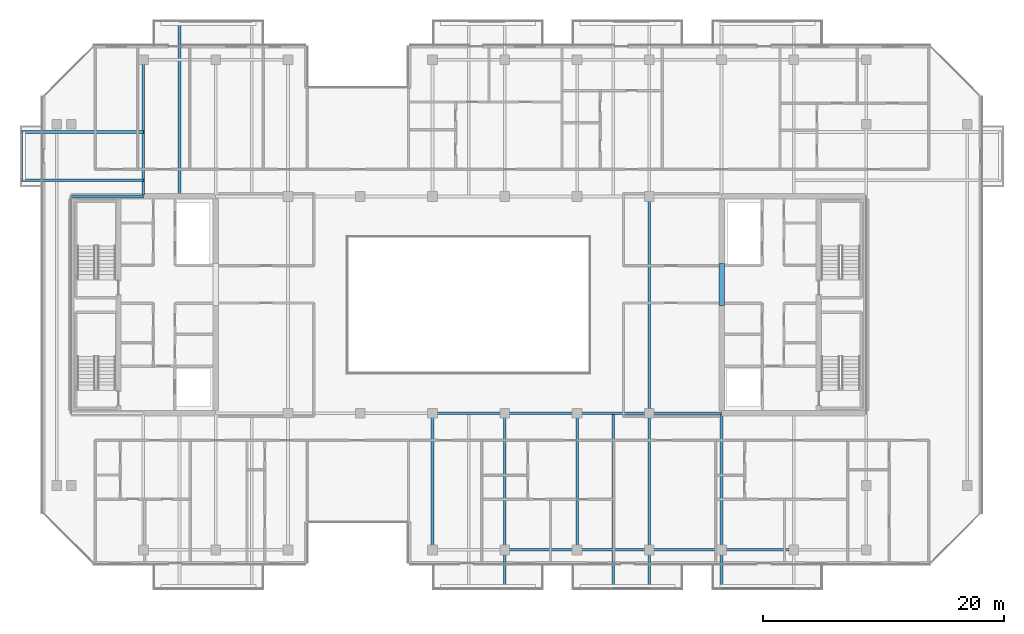
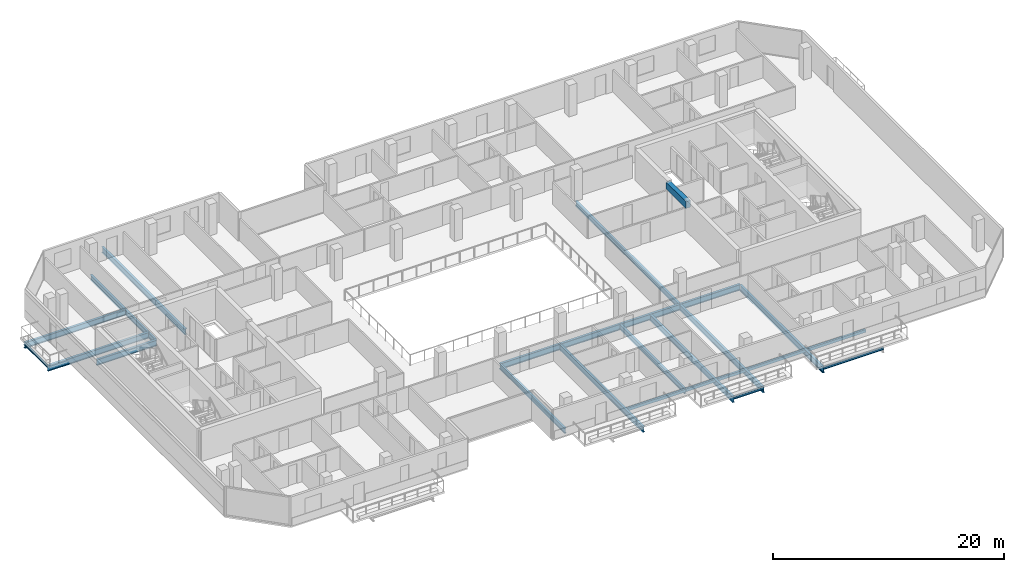
# One storey, part 7 of 29: 24 beams.
"""IFC4 building model written with IfcOpenShell, lengths in metres."""

from ifc_helpers import new_model, si_unit, direction, frame, origin, origin_2d, place, context, subcontext, project, spatial, rectangle, hollow_rectangle, i_section, extrude, material, material_profile, profile_set, type_object, element, save


model = new_model("IFC4")

# Units and contexts
model_context = context("Model", 3, precision=1e-05, world=origin(), true_north=direction((0.0, 1.0)))
body_context = subcontext(model_context, "Body", "Model", "MODEL_VIEW")
ifc_project = project(units=[si_unit("LENGTHUNIT", "METRE"), si_unit("AREAUNIT", "SQUARE_METRE"), si_unit("VOLUMEUNIT", "CUBIC_METRE"), si_unit("PLANEANGLEUNIT", "RADIAN"), si_unit("MASSUNIT", "GRAM", prefix="KILO")], contexts=[model_context])

# Site, building, storey
site_placement = place(None, origin())
site = spatial("IfcSite", under=ifc_project, at=site_placement, CompositionType="ELEMENT")
building_placement = place(site_placement, origin())
building = spatial("IfcBuilding", under=site, at=building_placement, Name="Tanjung Sevakor Pilgrim Tower", CompositionType="ELEMENT")
storey_placement = place(building_placement, frame((0.0, 0.0, 181.830078125)))
storey = spatial("IfcBuildingStorey", under=building, at=storey_placement, Name="L50", CompositionType="ELEMENT", Elevation=181.830078125)

# Beams
ifc_material_1 = material(Name="Steel S355J2", Category="steel")
ifc_material_profile_1 = material_profile(ifc_material_1, i_section(OverallWidth=0.22900390625, OverallDepth=0.6123046875, WebThickness=0.011962890625, FlangeThickness=0.01953125, FilletRadius=0.0126953125, at=origin_2d()))
ifc_profile_set_1 = profile_set([ifc_material_profile_1], Name="Steel S355J2")
beam_type_1 = type_object("IfcBeamType", Name="BM-B-G4-UB_610x229x125", PredefinedType="BEAM", material=ifc_profile_set_1)
for number, where, z_axis, x_axis, name in (
    (1, (30.0, 43.949951171875, -0.526123046875), (-1.0, 0.0, 0.0), (0.0, -1.0, 0.0), "L50 Balcony Overhanging Beam MAIN-W1-1"),
    (2, (30.0, 47.949951171875, -0.526123046875), (-1.0, 0.0, 0.0), (0.0, -1.0, 0.0), "L50 Balcony Overhanging Beam MAIN-W1-2"),
):
    element("IfcBeam", number, at=place(storey_placement, frame(where, z_axis=z_axis, x_axis=x_axis)), inside=storey, type_object=beam_type_1, Name=name, PredefinedType="BEAM", context=body_context, shape_type="SweptSolid", body=[
        extrude(i_section(OverallWidth=0.22900390625, OverallDepth=0.6123046875, WebThickness=0.011962890625, FlangeThickness=0.01953125, FilletRadius=0.0126953125, at=origin_2d()), origin(), (0.0, 0.0, 1.0), 10.1298828125),
    ])
for number, where, z_axis, x_axis, name in (
    (3, (54.0, 24.60009765625, -0.526123046875), (1.0, 0.0, 0.0), (0.0, 1.0, 0.0), "L50 Primary Floor Girder MAIN Y246-05"),
    (4, (60.0, 24.60009765625, -0.526123046875), (1.0, 0.0, 0.0), (0.0, 1.0, 0.0), "L50 Primary Floor Girder MAIN Y246-06"),
    (5, (66.0, 24.60009765625, -0.526123046875), (1.0, 0.0, 0.0), (0.0, 1.0, 0.0), "L50 Primary Floor Girder MAIN Y246-07"),
    (6, (72.0, 24.60009765625, -0.526123046875), (1.0, 0.0, 0.0), (0.0, 1.0, 0.0), "L50 Primary Floor Girder MAIN Y246-08"),
    (7, (24.0, 42.60009765625, -0.526123046875), (1.0, 0.0, 0.0), (0.0, 1.0, 0.0), "L50 Primary Floor Girder MAIN Y426-01"),
):
    element("IfcBeam", number, at=place(storey_placement, frame(where, z_axis=z_axis, x_axis=x_axis)), inside=storey, type_object=beam_type_1, Name=name, PredefinedType="BEAM", context=body_context, shape_type="SweptSolid", body=[
        extrude(i_section(OverallWidth=0.22900390625, OverallDepth=0.6123046875, WebThickness=0.011962890625, FlangeThickness=0.01953125, FilletRadius=0.0126953125, at=origin_2d()), origin(), (0.0, 0.0, 1.0), 6.0),
    ])
beam_1_placement = place(storey_placement, frame((33.0, 42.714599609375, -0.526123046875), z_axis=(0.0, 1.0, 0.0), x_axis=(-1.0, 0.0, 0.0)))
element("IfcBeam", 8, at=beam_1_placement, inside=storey, type_object=beam_type_1, Name="L50 Balcony Cantilever Beam MAIN-N1-1", PredefinedType="BEAM", context=body_context, shape_type="SweptSolid", body=[
    extrude(i_section(OverallWidth=0.22900390625, OverallDepth=0.6123046875, WebThickness=0.011962890625, FlangeThickness=0.01953125, FilletRadius=0.0126953125, at=origin_2d()), origin(), (0.0, 0.0, 1.0), 14.415283203125),
])
beam_2_placement = place(storey_placement, frame((60.0, 24.60009765625, -0.526123046875), z_axis=(0.0, -1.0, 0.0), x_axis=(1.0, 0.0, 0.0)))
element("IfcBeam", 9, at=beam_2_placement, inside=storey, type_object=beam_type_1, Name="L50 Balcony Cantilever Beam MAIN-S2-2", PredefinedType="BEAM", context=body_context, shape_type="SweptSolid", body=[
    extrude(i_section(OverallWidth=0.22900390625, OverallDepth=0.6123046875, WebThickness=0.011962890625, FlangeThickness=0.01953125, FilletRadius=0.0126953125, at=origin_2d()), origin(), (0.0, 0.0, 1.0), 14.530029296875),
])
beam_3_placement = place(storey_placement, frame((69.0, 24.485595703125, -0.526123046875), z_axis=(0.0, -1.0, 0.0), x_axis=(1.0, 0.0, 0.0)))
element("IfcBeam", 10, at=beam_3_placement, inside=storey, type_object=beam_type_1, Name="L50 Balcony Cantilever Beam MAIN-S3-1", PredefinedType="BEAM", context=body_context, shape_type="SweptSolid", body=[
    extrude(i_section(OverallWidth=0.22900390625, OverallDepth=0.6123046875, WebThickness=0.011962890625, FlangeThickness=0.01953125, FilletRadius=0.0126953125, at=origin_2d()), origin(), (0.0, 0.0, 1.0), 14.41552734375),
])
beam_4_placement = place(storey_placement, frame((72.0, 24.60009765625, -0.526123046875), z_axis=(0.0, -1.0, 0.0), x_axis=(1.0, 0.0, 0.0)))
element("IfcBeam", 11, at=beam_4_placement, inside=storey, type_object=beam_type_1, Name="L50 Balcony Cantilever Beam MAIN-S3-2", PredefinedType="BEAM", context=body_context, shape_type="SweptSolid", body=[
    extrude(i_section(OverallWidth=0.22900390625, OverallDepth=0.6123046875, WebThickness=0.011962890625, FlangeThickness=0.01953125, FilletRadius=0.0126953125, at=origin_2d()), origin(), (0.0, 0.0, 1.0), 14.530029296875),
])
beam_5_placement = place(storey_placement, frame((78.0, 24.485595703125, -0.526123046875), z_axis=(0.0, -1.0, 0.0), x_axis=(1.0, 0.0, 0.0)))
element("IfcBeam", 12, at=beam_5_placement, inside=storey, type_object=beam_type_1, Name="L50 Balcony Cantilever Beam MAIN-S4-1", PredefinedType="BEAM", context=body_context, shape_type="SweptSolid", body=[
    extrude(i_section(OverallWidth=0.22900390625, OverallDepth=0.6123046875, WebThickness=0.011962890625, FlangeThickness=0.01953125, FilletRadius=0.0126953125, at=origin_2d()), origin(), (0.0, 0.0, 1.0), 14.41552734375),
])
ifc_material_2 = material(Name="Steel S355J2", Category="steel")
ifc_material_profile_2 = material_profile(ifc_material_2, i_section(OverallWidth=0.2119140625, OverallDepth=0.54443359375, WebThickness=0.0126953125, FlangeThickness=0.021240234375, FilletRadius=0.0126953125, at=origin_2d()))
ifc_profile_set_2 = profile_set([ifc_material_profile_2], Name="Steel S355J2")
beam_type_2 = type_object("IfcBeamType", Name="BM-B-G5-UB_533x210x122", PredefinedType="BEAM", material=ifc_profile_set_2)
beam_6_placement = place(storey_placement, frame((30.0, 42.714599609375, -0.492431640625), z_axis=(0.0, 1.0, 0.0), x_axis=(-1.0, 0.0, 0.0)))
element("IfcBeam", 13, at=beam_6_placement, inside=storey, type_object=beam_type_2, Name="L50 MAIN Girder 002", PredefinedType="BEAM", context=body_context, shape_type="SweptSolid", body=[
    extrude(i_section(OverallWidth=0.2119140625, OverallDepth=0.54443359375, WebThickness=0.0126953125, FlangeThickness=0.021240234375, FilletRadius=0.0126953125, at=origin_2d()), origin(), (0.0, 0.0, 1.0), 11.2353515625),
])
for number, where, z_axis, x_axis, name in (
    (14, (54.0, 13.25, -0.492431640625), (0.0, 1.0, 0.0), (-1.0, 0.0, 0.0), "L50 MAIN Girder 008"),
    (15, (66.0, 13.25, -0.492431640625), (0.0, 1.0, 0.0), (-1.0, 0.0, 0.0), "L50 MAIN Girder 010"),
):
    element("IfcBeam", number, at=place(storey_placement, frame(where, z_axis=z_axis, x_axis=x_axis)), inside=storey, type_object=beam_type_2, Name=name, PredefinedType="BEAM", context=body_context, shape_type="SweptSolid", body=[
        extrude(i_section(OverallWidth=0.2119140625, OverallDepth=0.54443359375, WebThickness=0.0126953125, FlangeThickness=0.021240234375, FilletRadius=0.0126953125, at=origin_2d()), origin(), (0.0, 0.0, 1.0), 11.35009765625),
    ])
beam_7_placement = place(storey_placement, frame((72.0, 24.60009765625, -0.492431640625), z_axis=(0.0, 1.0, 0.0), x_axis=(-1.0, 0.0, 0.0)))
element("IfcBeam", 16, at=beam_7_placement, inside=storey, type_object=beam_type_2, Name="L50 MAIN Girder 012", PredefinedType="BEAM", context=body_context, shape_type="SweptSolid", body=[
    extrude(i_section(OverallWidth=0.2119140625, OverallDepth=0.54443359375, WebThickness=0.0126953125, FlangeThickness=0.021240234375, FilletRadius=0.0126953125, at=origin_2d()), origin(), (0.0, 0.0, 1.0), 18.0),
])
ifc_material_3 = material(Name="Steel S355J2", Category="steel")
ifc_material_profile_3 = material_profile(ifc_material_3, i_section(OverallWidth=0.146484375, OverallDepth=0.256103515625, WebThickness=0.00634765625, FlangeThickness=0.010986328125, FilletRadius=0.007568359375, at=origin_2d()))
ifc_profile_set_3 = profile_set([ifc_material_profile_3], Name="Steel S355J2")
beam_type_3 = type_object("IfcBeamType", Name="BM-B-J6-UB_254x146x37", PredefinedType="JOIST", material=ifc_profile_set_3)
beam_8_placement = place(storey_placement, frame((69.0, 10.070068359375, -0.328125), z_axis=(1.0, 0.0, 0.0), x_axis=(0.0, 1.0, 0.0)))
element("IfcBeam", 17, at=beam_8_placement, inside=storey, type_object=beam_type_3, Name="L50 Balcony Rim Tie MAIN-S3", PredefinedType="JOIST", context=body_context, shape_type="SweptSolid", body=[
    extrude(i_section(OverallWidth=0.146484375, OverallDepth=0.256103515625, WebThickness=0.00634765625, FlangeThickness=0.010986328125, FilletRadius=0.007568359375, at=origin_2d()), origin(), (0.0, 0.0, 1.0), 3.0),
])
beam_9_placement = place(storey_placement, frame((78.0, 10.070068359375, -0.328125), z_axis=(1.0, 0.0, 0.0), x_axis=(0.0, 1.0, 0.0)))
element("IfcBeam", 18, at=beam_9_placement, inside=storey, type_object=beam_type_3, Name="L50 Balcony Rim Tie MAIN-S4", PredefinedType="JOIST", context=body_context, shape_type="SweptSolid", body=[
    extrude(i_section(OverallWidth=0.146484375, OverallDepth=0.256103515625, WebThickness=0.00634765625, FlangeThickness=0.010986328125, FilletRadius=0.007568359375, at=origin_2d()), origin(), (0.0, 0.0, 1.0), 6.0),
])
beam_10_placement = place(storey_placement, frame((19.8701171875, 43.949951171875, -0.328125), z_axis=(0.0, 1.0, 0.0), x_axis=(-1.0, 0.0, 0.0)))
element("IfcBeam", 19, at=beam_10_placement, inside=storey, type_object=beam_type_3, Name="L50 Balcony Rim Tie MAIN-W1", PredefinedType="JOIST", context=body_context, shape_type="SweptSolid", body=[
    extrude(i_section(OverallWidth=0.146484375, OverallDepth=0.256103515625, WebThickness=0.00634765625, FlangeThickness=0.010986328125, FilletRadius=0.007568359375, at=origin_2d()), origin(), (0.0, 0.0, 1.0), 4.0),
])
ifc_material_4 = material(Name="Concrete C60/75", Category="concrete")
ifc_material_profile_4 = material_profile(ifc_material_4, rectangle(XDim=0.449951171875, YDim=0.699951171875, at=origin_2d()))
ifc_profile_set_4 = profile_set([ifc_material_profile_4], Name="Concrete C60/75")
beam_type_4 = type_object("IfcBeamType", Name="BM-B-LN3-RC-BM_450x700", PredefinedType="LINTEL", material=ifc_profile_set_4)
beam_11_placement = place(storey_placement, frame((78.0, 33.550048828125, 2.72998046875), z_axis=(0.0, 1.0, 0.0), x_axis=(-1.0, 0.0, 0.0)))
element("IfcBeam", 20, at=beam_11_placement, inside=storey, type_object=beam_type_4, Name="L50 E Core Coupling Lintel", PredefinedType="LINTEL", context=body_context, shape_type="SweptSolid", body=[
    extrude(rectangle(XDim=0.449951171875, YDim=0.699951171875, at=origin_2d()), origin(), (0.0, 0.0, 1.0), 3.5),
])
ifc_material_5 = material(Name="Steel S355J2", Category="steel")
ifc_material_profile_5 = material_profile(ifc_material_5, hollow_rectangle(XDim=0.199951171875, YDim=0.300048828125, WallThickness=0.012451171875, at=origin_2d()))
ifc_profile_set_5 = profile_set([ifc_material_profile_5], Name="Steel S355J2")
beam_type_5 = type_object("IfcBeamType", Name="BM-B-SP3-RHS_300x200x12.5", PredefinedType="SPANDREL", material=ifc_profile_set_5)
for number, where, z_axis, x_axis, name in (
    (21, (60.0, 13.25, -0.3701171875), (1.0, 0.0, 0.0), (0.0, 1.0, 0.0), "L50 Spandrel MAIN S-07"),
    (22, (66.0, 13.25, -0.3701171875), (1.0, 0.0, 0.0), (0.0, 1.0, 0.0), "L50 Spandrel MAIN S-09"),
    (23, (72.0, 13.25, -0.3701171875), (1.0, 0.0, 0.0), (0.0, 1.0, 0.0), "L50 Spandrel MAIN S-11"),
    (24, (78.0, 13.25, -0.3701171875), (1.0, 0.0, 0.0), (0.0, 1.0, 0.0), "L50 Spandrel MAIN S-13"),
):
    element("IfcBeam", number, at=place(storey_placement, frame(where, z_axis=z_axis, x_axis=x_axis)), inside=storey, type_object=beam_type_5, Name=name, PredefinedType="SPANDREL", context=body_context, shape_type="SweptSolid", body=[
        extrude(hollow_rectangle(XDim=0.199951171875, YDim=0.300048828125, WallThickness=0.012451171875, at=origin_2d()), origin(), (0.0, 0.0, 1.0), 6.0),
    ])

save(model, "model.ifc")
